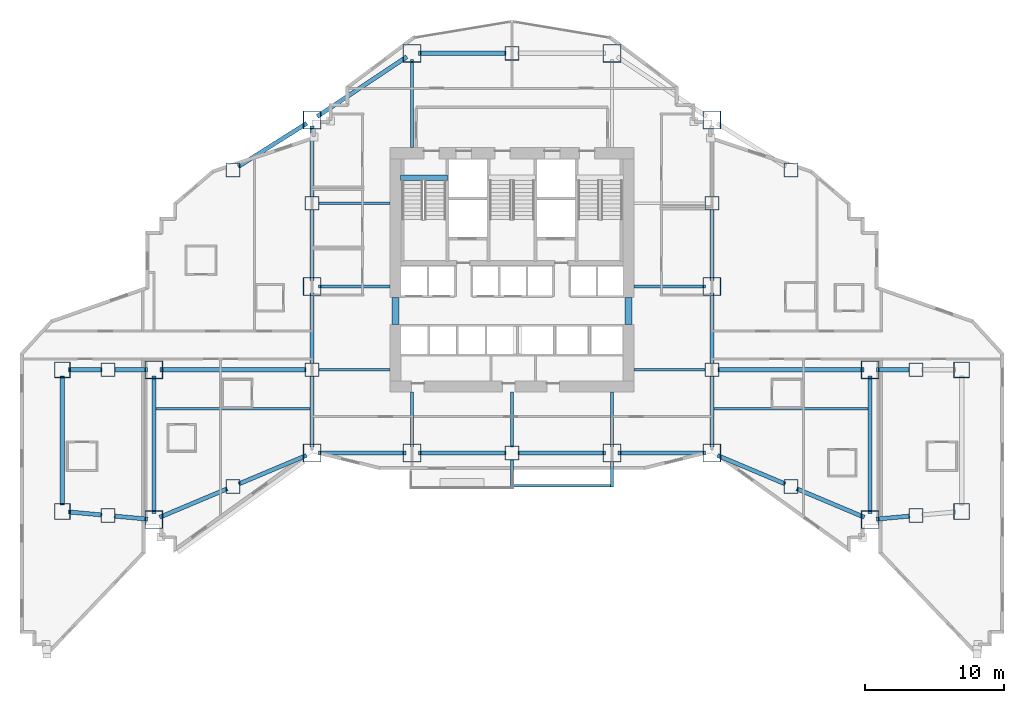
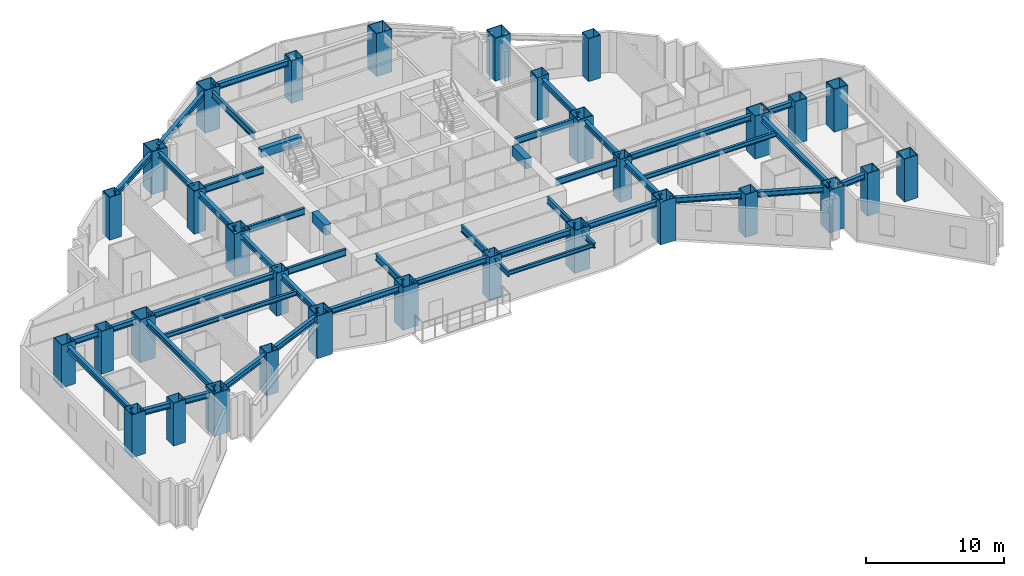
# One storey, part 1 of 17: 46 beams, 32 columns.
"""IFC4 building model written with IfcOpenShell, lengths in metres."""

from ifc_helpers import new_model, si_unit, direction, frame, origin, origin_2d, place, context, subcontext, project, spatial, rectangle, hollow_rectangle, i_section, extrude, material, material_profile, profile_set, type_object, element, save


model = new_model("IFC4")

# Units and contexts
model_context = context("Model", 3, precision=1e-05, world=origin(), true_north=direction((0.0, 1.0)))
body_context = subcontext(model_context, "Body", "Model", "MODEL_VIEW")
ifc_project = project(units=[si_unit("LENGTHUNIT", "METRE"), si_unit("AREAUNIT", "SQUARE_METRE"), si_unit("VOLUMEUNIT", "CUBIC_METRE"), si_unit("PLANEANGLEUNIT", "RADIAN"), si_unit("MASSUNIT", "GRAM", prefix="KILO")], contexts=[model_context])

# Site, building, storey
site_placement = place(None, origin())
site = spatial("IfcSite", under=ifc_project, at=site_placement, CompositionType="ELEMENT")
building_placement = place(site_placement, origin())
building = spatial("IfcBuilding", under=site, at=building_placement, Name="Haolan Belvedere Tower", CompositionType="ELEMENT")
storey_placement = place(building_placement, frame((0.0, 0.0, 31.60009765625)))
storey = spatial("IfcBuildingStorey", under=building, at=storey_placement, Name="L07", CompositionType="ELEMENT", Elevation=31.60009765625)

# Columns
ifc_material_1 = material(Name="Steel Q420GJC", Category="steel")
ifc_material_profile_1 = material_profile(ifc_material_1, hollow_rectangle(XDim=1.0, YDim=1.0, WallThickness=0.0380859375, at=origin_2d()), Name="Steel Q420GJC")
ifc_profile_set_1 = profile_set([ifc_material_profile_1], Name="Steel Q420GJC")
column_type_1 = type_object("IfcColumnType", Name="COL-BOX1000x1000x38", PredefinedType="COLUMN", material=ifc_profile_set_1)
for number, where, z_axis, x_axis, name in (
    (1, (24.0, 27.60009765625, 0.0), (0.0, 0.0, 1.0), (1.0, 0.0, 0.0), "L07 column TC-T3-W1 (BOX1000x1000x38)"),
    (2, (24.0, 39.60009765625, 0.0), (0.0, 0.0, 1.0), (1.0, 0.0, 0.0), "L07 column TC-T3-W2 (BOX1000x1000x38)"),
    (3, (52.800048828125, 27.60009765625, 0.0), (0.0, 0.0, 1.0), (1.0, 0.0, 0.0), "L07 column TC-T3-E1 (BOX1000x1000x38)"),
    (4, (52.800048828125, 39.60009765625, 0.0), (0.0, 0.0, 1.0), (1.0, 0.0, 0.0), "L07 column TC-T3-E2 (BOX1000x1000x38)"),
    (5, (38.39990234375, 21.60009765625, 0.0), (0.0, 0.0, 1.0), (1.0, 0.0, 0.0), "L07 column TC-T3-SM (BOX1000x1000x38)"),
    (6, (38.39990234375, 50.39990234375, 0.0), (0.0, 0.0, 1.0), (1.0, 0.0, 0.0), "L07 column TC-T3-NM (BOX1000x1000x38)"),
    (7, (18.300048828125, 19.199951171875, 0.0), (0.0, 0.0, 1.0), (1.0, 0.0, 0.0), "L07 column TC-T2-S1 (BOX1000x1000x38)"),
    (8, (18.300048828125, 42.0, 0.0), (0.0, 0.0, 1.0), (1.0, 0.0, 0.0), "L07 column TC-T2-N1 (BOX1000x1000x38)"),
    (9, (58.5, 19.199951171875, 0.0), (0.0, 0.0, 1.0), (1.0, 0.0, 0.0), "L07 column TC-T4-S1 (BOX1000x1000x38)"),
    (10, (58.5, 42.0, 0.0), (0.0, 0.0, 1.0), (1.0, 0.0, 0.0), "L07 column TC-T4-N1 (BOX1000x1000x38)"),
    (11, (9.300048828125, 17.10009765625, 0.0), (0.0, 0.0, 1.0), (1.0, 0.0, 0.0), "L07 column TC-T1-M1 (BOX1000x1000x38)"),
    (12, (9.300048828125, 27.60009765625, 0.0), (0.0, 0.0, 1.0), (1.0, 0.0, 0.0), "L07 column TC-T1-M2 (BOX1000x1000x38)"),
    (13, (67.5, 17.10009765625, 0.0), (0.0, 0.0, 1.0), (1.0, 0.0, 0.0), "L07 column TC-T5-M1 (BOX1000x1000x38)"),
    (14, (67.5, 27.60009765625, 0.0), (0.0, 0.0, 1.0), (1.0, 0.0, 0.0), "L07 column TC-T5-M2 (BOX1000x1000x38)"),
):
    element("IfcColumn", number, at=place(storey_placement, frame(where, z_axis=z_axis, x_axis=x_axis)), inside=storey, type_object=column_type_1, Name=name, PredefinedType="COLUMN", context=body_context, shape_type="SweptSolid", body=[
        extrude(hollow_rectangle(XDim=1.0, YDim=1.0, WallThickness=0.0380859375, at=origin_2d()), origin(), (0.0, 0.0, 1.0), 3.7998046875),
    ])
ifc_material_2 = material(Name="Steel Q355B", Category="steel")
ifc_material_profile_2 = material_profile(ifc_material_2, hollow_rectangle(XDim=1.14990234375, YDim=1.14990234375, WallThickness=0.0419921875, at=origin_2d()), Name="Steel Q355B")
ifc_profile_set_2 = profile_set([ifc_material_profile_2], Name="Steel Q355B")
column_type_2 = type_object("IfcColumnType", Name="COL-BOX1150x1150x42", PredefinedType="COLUMN", material=ifc_profile_set_2)
for number, where, z_axis, x_axis, name in (
    (15, (6.0, 17.39990234375, 0.0), (0.0, 0.0, 1.0), (1.0, 0.0, 0.0), "L07 column MC-T1-SW (BOX1150x1150x42)"),
    (16, (6.0, 27.60009765625, 0.0), (0.0, 0.0, 1.0), (1.0, 0.0, 0.0), "L07 column MC-T1-NW (BOX1150x1150x42)"),
    (17, (70.800048828125, 17.39990234375, 0.0), (0.0, 0.0, 1.0), (1.0, 0.0, 0.0), "L07 column MC-T5-SE (BOX1150x1150x42)"),
    (18, (70.800048828125, 27.60009765625, 0.0), (0.0, 0.0, 1.0), (1.0, 0.0, 0.0), "L07 column MC-T5-NE (BOX1150x1150x42)"),
):
    element("IfcColumn", number, at=place(storey_placement, frame(where, z_axis=z_axis, x_axis=x_axis)), inside=storey, type_object=column_type_2, Name=name, PredefinedType="COLUMN", context=body_context, shape_type="SweptSolid", body=[
        extrude(hollow_rectangle(XDim=1.14990234375, YDim=1.14990234375, WallThickness=0.0419921875, at=origin_2d()), origin(), (0.0, 0.0, 1.0), 3.7998046875),
    ])
ifc_material_profile_3 = material_profile(ifc_material_2, hollow_rectangle(XDim=1.300048828125, YDim=1.300048828125, WallThickness=0.048095703125, at=origin_2d()), Name="Steel Q355B")
ifc_profile_set_3 = profile_set([ifc_material_profile_3], Name="Steel Q355B")
column_type_3 = type_object("IfcColumnType", Name="COL-BOX1300x1300x48", PredefinedType="COLUMN", material=ifc_profile_set_3)
for number, where, z_axis, x_axis, name in (
    (19, (24.0, 21.60009765625, 0.0), (0.0, 0.0, 1.0), (1.0, 0.0, 0.0), "L07 column MC-T3-SW (BOX1300x1300x48)"),
    (20, (24.0, 33.60009765625, 0.0), (0.0, 0.0, 1.0), (1.0, 0.0, 0.0), "L07 column MC-T3-MW (BOX1300x1300x48)"),
    (21, (24.0, 45.60009765625, 0.0), (0.0, 0.0, 1.0), (1.0, 0.0, 0.0), "L07 column MC-T3-NW (BOX1300x1300x48)"),
    (22, (52.800048828125, 21.60009765625, 0.0), (0.0, 0.0, 1.0), (1.0, 0.0, 0.0), "L07 column MC-T3-SE (BOX1300x1300x48)"),
    (23, (52.800048828125, 33.60009765625, 0.0), (0.0, 0.0, 1.0), (1.0, 0.0, 0.0), "L07 column MC-T3-ME (BOX1300x1300x48)"),
    (24, (52.800048828125, 45.60009765625, 0.0), (0.0, 0.0, 1.0), (1.0, 0.0, 0.0), "L07 column MC-T3-NE (BOX1300x1300x48)"),
    (25, (31.199951171875, 21.60009765625, 0.0), (0.0, 0.0, 1.0), (1.0, 0.0, 0.0), "L07 column MC-T3-S1 (BOX1300x1300x48)"),
    (26, (45.60009765625, 21.60009765625, 0.0), (0.0, 0.0, 1.0), (1.0, 0.0, 0.0), "L07 column MC-T3-S2 (BOX1300x1300x48)"),
    (27, (31.199951171875, 50.39990234375, 0.0), (0.0, 0.0, 1.0), (1.0, 0.0, 0.0), "L07 column MC-T3-N1 (BOX1300x1300x48)"),
    (28, (45.60009765625, 50.39990234375, 0.0), (0.0, 0.0, 1.0), (1.0, 0.0, 0.0), "L07 column MC-T3-N2 (BOX1300x1300x48)"),
    (29, (12.60009765625, 16.800048828125, 0.0), (0.0, 0.0, 1.0), (1.0, 0.0, 0.0), "L07 column MC-T2-SW (BOX1300x1300x48)"),
    (30, (12.60009765625, 27.60009765625, 0.0), (0.0, 0.0, 1.0), (1.0, 0.0, 0.0), "L07 column MC-T2-MW (BOX1300x1300x48)"),
    (31, (64.199951171875, 16.800048828125, 0.0), (0.0, 0.0, 1.0), (1.0, 0.0, 0.0), "L07 column MC-T4-SE (BOX1300x1300x48)"),
    (32, (64.199951171875, 27.60009765625, 0.0), (0.0, 0.0, 1.0), (1.0, 0.0, 0.0), "L07 column MC-T4-ME (BOX1300x1300x48)"),
):
    element("IfcColumn", number, at=place(storey_placement, frame(where, z_axis=z_axis, x_axis=x_axis)), inside=storey, type_object=column_type_3, Name=name, PredefinedType="COLUMN", context=body_context, shape_type="SweptSolid", body=[
        extrude(hollow_rectangle(XDim=1.300048828125, YDim=1.300048828125, WallThickness=0.048095703125, at=origin_2d()), origin(), (0.0, 0.0, 1.0), 3.7998046875),
    ])

# Beams
ifc_material_profile_4 = material_profile(ifc_material_2, i_section(OverallWidth=0.300048828125, OverallDepth=0.488037109375, WebThickness=0.010986328125, FlangeThickness=0.01806640625, FilletRadius=0.02587890625, at=origin_2d()), Name="Steel Q355B")
ifc_profile_set_4 = profile_set([ifc_material_profile_4], Name="Steel Q355B")
beam_type_1 = type_object("IfcBeamType", Name="BM-HM488x300x11x18", PredefinedType="SPANDREL", material=ifc_profile_set_4)
for number, where, z_axis, x_axis, name in (
    (33, (24.0, 22.050048828125, 3.35595703125), (0.0, 1.0, 0.0), (-1.0, 0.0, 0.0), "L07 spandrel girder MC-T3-SW-TC-T3-W1"),
    (34, (24.0, 28.050048828125, 3.35595703125), (0.0, 1.0, 0.0), (-1.0, 0.0, 0.0), "L07 spandrel girder TC-T3-W1-MC-T3-MW"),
    (35, (24.0, 34.050048828125, 3.35595703125), (0.0, 1.0, 0.0), (-1.0, 0.0, 0.0), "L07 spandrel girder MC-T3-MW-TC-T3-W2"),
    (36, (24.0, 40.050048828125, 3.35595703125), (0.0, 1.0, 0.0), (-1.0, 0.0, 0.0), "L07 spandrel girder TC-T3-W2-MC-T3-NW"),
    (37, (52.800048828125, 22.050048828125, 3.35595703125), (0.0, 1.0, 0.0), (-1.0, 0.0, 0.0), "L07 spandrel girder MC-T3-SE-TC-T3-E1"),
    (38, (52.800048828125, 28.050048828125, 3.35595703125), (0.0, 1.0, 0.0), (-1.0, 0.0, 0.0), "L07 spandrel girder TC-T3-E1-MC-T3-ME"),
    (39, (52.800048828125, 34.050048828125, 3.35595703125), (0.0, 1.0, 0.0), (-1.0, 0.0, 0.0), "L07 spandrel girder MC-T3-ME-TC-T3-E2"),
):
    element("IfcBeam", number, at=place(storey_placement, frame(where, z_axis=z_axis, x_axis=x_axis)), inside=storey, type_object=beam_type_1, Name=name, PredefinedType="SPANDREL", context=body_context, shape_type="SweptSolid", body=[
        extrude(i_section(OverallWidth=0.300048828125, OverallDepth=0.488037109375, WebThickness=0.010986328125, FlangeThickness=0.01806640625, FilletRadius=0.02587890625, at=origin_2d()), origin(), (0.0, 0.0, 1.0), 5.099853515625),
    ])
for number, where, z_axis, x_axis, name in (
    (40, (24.449951171875, 21.60009765625, 3.35595703125), (1.0, 0.0, 0.0), (0.0, 1.0, 0.0), "L07 spandrel girder MC-T3-SW-MC-T3-S1"),
    (41, (31.64990234375, 21.60009765625, 3.35595703125), (1.0, 0.0, 0.0), (0.0, 1.0, 0.0), "L07 spandrel girder MC-T3-S1-TC-T3-SM"),
):
    element("IfcBeam", number, at=place(storey_placement, frame(where, z_axis=z_axis, x_axis=x_axis)), inside=storey, type_object=beam_type_1, Name=name, PredefinedType="SPANDREL", context=body_context, shape_type="SweptSolid", body=[
        extrude(i_section(OverallWidth=0.300048828125, OverallDepth=0.488037109375, WebThickness=0.010986328125, FlangeThickness=0.01806640625, FilletRadius=0.02587890625, at=origin_2d()), origin(), (0.0, 0.0, 1.0), 6.300048828125),
    ])
beam_1_placement = place(storey_placement, frame((38.85009765625, 21.60009765625, 3.35595703125), z_axis=(1.0, 0.0, 0.0), x_axis=(0.0, 1.0, 0.0)))
element("IfcBeam", 42, at=beam_1_placement, inside=storey, type_object=beam_type_1, Name="L07 spandrel girder TC-T3-SM-MC-T3-S2", PredefinedType="SPANDREL", context=body_context, shape_type="SweptSolid", body=[
    extrude(i_section(OverallWidth=0.300048828125, OverallDepth=0.488037109375, WebThickness=0.010986328125, FlangeThickness=0.01806640625, FilletRadius=0.02587890625, at=origin_2d()), origin(), (0.0, 0.0, 1.0), 6.2998046875),
])
beam_2_placement = place(storey_placement, frame((46.050048828125, 21.60009765625, 3.35595703125), z_axis=(1.0, 0.0, 0.0), x_axis=(0.0, 1.0, 0.0)))
element("IfcBeam", 43, at=beam_2_placement, inside=storey, type_object=beam_type_1, Name="L07 spandrel girder MC-T3-S2-MC-T3-SE", PredefinedType="SPANDREL", context=body_context, shape_type="SweptSolid", body=[
    extrude(i_section(OverallWidth=0.300048828125, OverallDepth=0.488037109375, WebThickness=0.010986328125, FlangeThickness=0.01806640625, FilletRadius=0.02587890625, at=origin_2d()), origin(), (0.0, 0.0, 1.0), 6.300048828125),
])
beam_3_placement = place(storey_placement, frame((24.37451171875, 45.849609375, 3.35595703125), z_axis=(0.832050294338, 0.554700196225, 0.0), x_axis=(-0.554700196225, 0.832050294338, 0.0)))
element("IfcBeam", 44, at=beam_3_placement, inside=storey, type_object=beam_type_1, Name="L07 spandrel girder MC-T3-NW-MC-T3-N1", PredefinedType="SPANDREL", context=body_context, shape_type="SweptSolid", body=[
    extrude(i_section(OverallWidth=0.300048828125, OverallDepth=0.488037109375, WebThickness=0.010986328125, FlangeThickness=0.01806640625, FilletRadius=0.02587890625, at=origin_2d()), origin(), (0.0, 0.0, 1.0), 7.75341796875),
])
beam_4_placement = place(storey_placement, frame((31.64990234375, 50.39990234375, 3.35595703125), z_axis=(1.0, 0.0, 0.0), x_axis=(0.0, 1.0, 0.0)))
element("IfcBeam", 45, at=beam_4_placement, inside=storey, type_object=beam_type_1, Name="L07 spandrel girder MC-T3-N1-TC-T3-NM", PredefinedType="SPANDREL", context=body_context, shape_type="SweptSolid", body=[
    extrude(i_section(OverallWidth=0.300048828125, OverallDepth=0.488037109375, WebThickness=0.010986328125, FlangeThickness=0.01806640625, FilletRadius=0.02587890625, at=origin_2d()), origin(), (0.0, 0.0, 1.0), 6.300048828125),
])
beam_5_placement = place(storey_placement, frame((12.60009765625, 17.25, 3.35595703125), z_axis=(0.0, 1.0, 0.0), x_axis=(-1.0, 0.0, 0.0)))
element("IfcBeam", 46, at=beam_5_placement, inside=storey, type_object=beam_type_1, Name="L07 spandrel girder MC-T2-SW-MC-T2-MW", PredefinedType="SPANDREL", context=body_context, shape_type="SweptSolid", body=[
    extrude(i_section(OverallWidth=0.300048828125, OverallDepth=0.488037109375, WebThickness=0.010986328125, FlangeThickness=0.01806640625, FilletRadius=0.02587890625, at=origin_2d()), origin(), (0.0, 0.0, 1.0), 9.89990234375),
])
beam_6_placement = place(storey_placement, frame((13.0146484375, 16.974609375, 3.35595703125), z_axis=(0.921635375138, 0.388057000058, 0.0), x_axis=(-0.388057000058, 0.921635375138, 0.0)))
element("IfcBeam", 47, at=beam_6_placement, inside=storey, type_object=beam_type_1, Name="L07 spandrel girder MC-T2-SW-TC-T2-S1", PredefinedType="SPANDREL", context=body_context, shape_type="SweptSolid", body=[
    extrude(i_section(OverallWidth=0.300048828125, OverallDepth=0.488037109375, WebThickness=0.010986328125, FlangeThickness=0.01806640625, FilletRadius=0.02587890625, at=origin_2d()), origin(), (0.0, 0.0, 1.0), 5.28466796875),
])
beam_7_placement = place(storey_placement, frame((18.71484375, 19.37451171875, 3.35595703125), z_axis=(0.92162841793, 0.388073523014, 0.0), x_axis=(-0.388073523014, 0.92162841793, 0.0)))
element("IfcBeam", 48, at=beam_7_placement, inside=storey, type_object=beam_type_1, Name="L07 spandrel girder TC-T2-S1-MC-T3-SW", PredefinedType="SPANDREL", context=body_context, shape_type="SweptSolid", body=[
    extrude(i_section(OverallWidth=0.300048828125, OverallDepth=0.488037109375, WebThickness=0.010986328125, FlangeThickness=0.01806640625, FilletRadius=0.02587890625, at=origin_2d()), origin(), (0.0, 0.0, 1.0), 5.284423828125),
])
beam_8_placement = place(storey_placement, frame((18.680419921875, 42.240234375, 3.35595703125), z_axis=(0.845497840649, 0.533978839898, 0.0), x_axis=(-0.533978839898, 0.845497840649, 0.0)))
element("IfcBeam", 49, at=beam_8_placement, inside=storey, type_object=beam_type_1, Name="L07 spandrel girder TC-T2-N1-MC-T3-NW", PredefinedType="SPANDREL", context=body_context, shape_type="SweptSolid", body=[
    extrude(i_section(OverallWidth=0.300048828125, OverallDepth=0.488037109375, WebThickness=0.010986328125, FlangeThickness=0.01806640625, FilletRadius=0.02587890625, at=origin_2d()), origin(), (0.0, 0.0, 1.0), 5.841796875),
])
beam_9_placement = place(storey_placement, frame((13.050048828125, 27.60009765625, 3.35595703125), z_axis=(1.0, 0.0, 0.0), x_axis=(0.0, 1.0, 0.0)))
element("IfcBeam", 50, at=beam_9_placement, inside=storey, type_object=beam_type_1, Name="L07 spandrel girder MC-T2-MW-TC-T3-W1", PredefinedType="SPANDREL", context=body_context, shape_type="SweptSolid", body=[
    extrude(i_section(OverallWidth=0.300048828125, OverallDepth=0.488037109375, WebThickness=0.010986328125, FlangeThickness=0.01806640625, FilletRadius=0.02587890625, at=origin_2d()), origin(), (0.0, 0.0, 1.0), 10.5),
])
beam_10_placement = place(storey_placement, frame((64.199951171875, 17.25, 3.35595703125), z_axis=(0.0, 1.0, 0.0), x_axis=(-1.0, 0.0, 0.0)))
element("IfcBeam", 51, at=beam_10_placement, inside=storey, type_object=beam_type_1, Name="L07 spandrel girder MC-T4-SE-MC-T4-ME", PredefinedType="SPANDREL", context=body_context, shape_type="SweptSolid", body=[
    extrude(i_section(OverallWidth=0.300048828125, OverallDepth=0.488037109375, WebThickness=0.010986328125, FlangeThickness=0.01806640625, FilletRadius=0.02587890625, at=origin_2d()), origin(), (0.0, 0.0, 1.0), 9.89990234375),
])
for number, where, z_axis, x_axis, name in (
    (52, (53.21484375, 21.42529296875, 3.35595703125), (0.92162841793, -0.388073523014, 0.0), (0.388073523014, 0.92162841793, 0.0), "L07 spandrel girder MC-T3-SE-TC-T4-S1"),
    (53, (58.914794921875, 19.025390625, 3.35595703125), (0.92162841793, -0.388073523014, 0.0), (0.388073523014, 0.92162841793, 0.0), "L07 spandrel girder TC-T4-S1-MC-T4-SE"),
):
    element("IfcBeam", number, at=place(storey_placement, frame(where, z_axis=z_axis, x_axis=x_axis)), inside=storey, type_object=beam_type_1, Name=name, PredefinedType="SPANDREL", context=body_context, shape_type="SweptSolid", body=[
        extrude(i_section(OverallWidth=0.300048828125, OverallDepth=0.488037109375, WebThickness=0.010986328125, FlangeThickness=0.01806640625, FilletRadius=0.02587890625, at=origin_2d()), origin(), (0.0, 0.0, 1.0), 5.284423828125),
    ])
beam_11_placement = place(storey_placement, frame((53.25, 27.60009765625, 3.35595703125), z_axis=(1.0, 0.0, 0.0), x_axis=(0.0, 1.0, 0.0)))
element("IfcBeam", 54, at=beam_11_placement, inside=storey, type_object=beam_type_1, Name="L07 spandrel girder TC-T3-E1-MC-T4-ME", PredefinedType="SPANDREL", context=body_context, shape_type="SweptSolid", body=[
    extrude(i_section(OverallWidth=0.300048828125, OverallDepth=0.488037109375, WebThickness=0.010986328125, FlangeThickness=0.01806640625, FilletRadius=0.02587890625, at=origin_2d()), origin(), (0.0, 0.0, 1.0), 10.5),
])
beam_12_placement = place(storey_placement, frame((6.0, 17.85009765625, 3.35595703125), z_axis=(0.0, 1.0, 0.0), x_axis=(-1.0, 0.0, 0.0)))
element("IfcBeam", 55, at=beam_12_placement, inside=storey, type_object=beam_type_1, Name="L07 spandrel girder MC-T1-SW-MC-T1-NW", PredefinedType="SPANDREL", context=body_context, shape_type="SweptSolid", body=[
    extrude(i_section(OverallWidth=0.300048828125, OverallDepth=0.488037109375, WebThickness=0.010986328125, FlangeThickness=0.01806640625, FilletRadius=0.02587890625, at=origin_2d()), origin(), (0.0, 0.0, 1.0), 9.2998046875),
])
beam_13_placement = place(storey_placement, frame((6.4482421875, 17.359375, 3.35595703125), z_axis=(0.995884080761, -0.090636072764, 0.0), x_axis=(0.090636072764, 0.995884080761, 0.0)))
element("IfcBeam", 56, at=beam_13_placement, inside=storey, type_object=beam_type_1, Name="L07 spandrel girder MC-T1-SW-TC-T1-M1", PredefinedType="SPANDREL", context=body_context, shape_type="SweptSolid", body=[
    extrude(i_section(OverallWidth=0.300048828125, OverallDepth=0.488037109375, WebThickness=0.010986328125, FlangeThickness=0.01806640625, FilletRadius=0.02587890625, at=origin_2d()), origin(), (0.0, 0.0, 1.0), 2.41357421875),
])
beam_14_placement = place(storey_placement, frame((9.748046875, 17.059326171875, 3.35595703125), z_axis=(0.9958940355, -0.090526626221, 0.0), x_axis=(0.090526626221, 0.9958940355, 0.0)))
element("IfcBeam", 57, at=beam_14_placement, inside=storey, type_object=beam_type_1, Name="L07 spandrel girder TC-T1-M1-MC-T2-SW", PredefinedType="SPANDREL", context=body_context, shape_type="SweptSolid", body=[
    extrude(i_section(OverallWidth=0.300048828125, OverallDepth=0.488037109375, WebThickness=0.010986328125, FlangeThickness=0.01806640625, FilletRadius=0.02587890625, at=origin_2d()), origin(), (0.0, 0.0, 1.0), 2.413818359375),
])
beam_15_placement = place(storey_placement, frame((6.449951171875, 27.60009765625, 3.35595703125), z_axis=(1.0, 0.0, 0.0), x_axis=(0.0, 1.0, 0.0)))
element("IfcBeam", 58, at=beam_15_placement, inside=storey, type_object=beam_type_1, Name="L07 spandrel girder MC-T1-NW-TC-T1-M2", PredefinedType="SPANDREL", context=body_context, shape_type="SweptSolid", body=[
    extrude(i_section(OverallWidth=0.300048828125, OverallDepth=0.488037109375, WebThickness=0.010986328125, FlangeThickness=0.01806640625, FilletRadius=0.02587890625, at=origin_2d()), origin(), (0.0, 0.0, 1.0), 2.400146484375),
])
beam_16_placement = place(storey_placement, frame((9.75, 27.60009765625, 3.35595703125), z_axis=(1.0, 0.0, 0.0), x_axis=(0.0, 1.0, 0.0)))
element("IfcBeam", 59, at=beam_16_placement, inside=storey, type_object=beam_type_1, Name="L07 spandrel girder TC-T1-M2-MC-T2-MW", PredefinedType="SPANDREL", context=body_context, shape_type="SweptSolid", body=[
    extrude(i_section(OverallWidth=0.300048828125, OverallDepth=0.488037109375, WebThickness=0.010986328125, FlangeThickness=0.01806640625, FilletRadius=0.02587890625, at=origin_2d()), origin(), (0.0, 0.0, 1.0), 2.39990234375),
])
beam_17_placement = place(storey_placement, frame((64.648193359375, 16.8408203125, 3.35595703125), z_axis=(0.995893206468, 0.090535746043, 0.0), x_axis=(-0.090535746043, 0.995893206468, 0.0)))
element("IfcBeam", 60, at=beam_17_placement, inside=storey, type_object=beam_type_1, Name="L07 spandrel girder MC-T4-SE-TC-T5-M1", PredefinedType="SPANDREL", context=body_context, shape_type="SweptSolid", body=[
    extrude(i_section(OverallWidth=0.300048828125, OverallDepth=0.488037109375, WebThickness=0.010986328125, FlangeThickness=0.01806640625, FilletRadius=0.02587890625, at=origin_2d()), origin(), (0.0, 0.0, 1.0), 2.41357421875),
])
beam_18_placement = place(storey_placement, frame((64.64990234375, 27.60009765625, 3.35595703125), z_axis=(1.0, 0.0, 0.0), x_axis=(0.0, 1.0, 0.0)))
element("IfcBeam", 61, at=beam_18_placement, inside=storey, type_object=beam_type_1, Name="L07 spandrel girder MC-T4-ME-TC-T5-M2", PredefinedType="SPANDREL", context=body_context, shape_type="SweptSolid", body=[
    extrude(i_section(OverallWidth=0.300048828125, OverallDepth=0.488037109375, WebThickness=0.010986328125, FlangeThickness=0.01806640625, FilletRadius=0.02587890625, at=origin_2d()), origin(), (0.0, 0.0, 1.0), 2.400146484375),
])
ifc_material_profile_5 = material_profile(ifc_material_2, i_section(OverallWidth=0.175048828125, OverallDepth=0.35009765625, WebThickness=0.007080078125, FlangeThickness=0.010986328125, FilletRadius=0.012939453125, at=origin_2d()), Name="Steel Q355B")
ifc_profile_set_5 = profile_set([ifc_material_profile_5], Name="Steel Q355B")
beam_type_2 = type_object("IfcBeamType", Name="BM-HN350x175x7x11", PredefinedType="JOIST", material=ifc_profile_set_5)
beam_19_placement = place(storey_placement, frame((38.5, 19.239990234375, 3.39501953125), z_axis=(1.0, 0.0, 0.0), x_axis=(0.0, 1.0, 0.0)))
element("IfcBeam", 62, at=beam_19_placement, inside=storey, type_object=beam_type_2, Name="L08 tree-balcony front trimmer beam 1", PredefinedType="BEAM", context=body_context, shape_type="SweptSolid", body=[
    extrude(i_section(OverallWidth=0.175048828125, OverallDepth=0.35009765625, WebThickness=0.007080078125, FlangeThickness=0.010986328125, FilletRadius=0.012939453125, at=origin_2d()), origin(), (0.0, 0.0, 1.0), 7.0),
])
ifc_material_profile_6 = material_profile(ifc_material_2, i_section(OverallWidth=0.199951171875, OverallDepth=0.39990234375, WebThickness=0.008056640625, FlangeThickness=0.012939453125, FilletRadius=0.01611328125, at=origin_2d()), Name="Steel Q355B")
ifc_profile_set_6 = profile_set([ifc_material_profile_6], Name="Steel Q355B")
beam_type_3 = type_object("IfcBeamType", Name="BM-HN400x200x8x13", PredefinedType="JOIST", material=ifc_profile_set_6)
for number, where, z_axis, x_axis, name in (
    (63, (12.75, 24.800048828125, 3.39990234375), (1.0, 0.0, 0.0), (0.0, 1.0, 0.0), "L07 west wing floor joist 1"),
    (64, (52.949951171875, 24.800048828125, 3.39990234375), (1.0, 0.0, 0.0), (0.0, 1.0, 0.0), "L07 east wing floor joist 1"),
):
    element("IfcBeam", number, at=place(storey_placement, frame(where, z_axis=z_axis, x_axis=x_axis)), inside=storey, type_object=beam_type_3, Name=name, PredefinedType="JOIST", context=body_context, shape_type="SweptSolid", body=[
        extrude(i_section(OverallWidth=0.199951171875, OverallDepth=0.39990234375, WebThickness=0.008056640625, FlangeThickness=0.012939453125, FilletRadius=0.01611328125, at=origin_2d()), origin(), (0.0, 0.0, 1.0), 11.10009765625),
    ])
ifc_material_profile_7 = material_profile(ifc_material_2, i_section(OverallWidth=0.199951171875, OverallDepth=0.449951171875, WebThickness=0.009033203125, FlangeThickness=0.013916015625, FilletRadius=0.01611328125, at=origin_2d()), Name="Steel Q355B")
ifc_profile_set_7 = profile_set([ifc_material_profile_7], Name="Steel Q355B")
beam_type_4 = type_object("IfcBeamType", Name="BM-HN450x200x9x14", PredefinedType="BEAM", material=ifc_profile_set_7)
beam_20_placement = place(storey_placement, frame((38.39990234375, 21.10009765625, 3.344970703125), z_axis=(0.0, -1.0, 0.0), x_axis=(1.0, 0.0, 0.0)))
element("IfcBeam", 65, at=beam_20_placement, inside=storey, type_object=beam_type_4, Name="L08 tree-balcony column cantilever TC-T3-SM", PredefinedType="BEAM", context=body_context, shape_type="SweptSolid", body=[
    extrude(i_section(OverallWidth=0.199951171875, OverallDepth=0.449951171875, WebThickness=0.009033203125, FlangeThickness=0.013916015625, FilletRadius=0.01611328125, at=origin_2d()), origin(), (0.0, 0.0, 1.0), 1.960205078125),
])
beam_21_placement = place(storey_placement, frame((45.60009765625, 20.949951171875, 3.344970703125), z_axis=(0.0, -1.0, 0.0), x_axis=(1.0, 0.0, 0.0)))
element("IfcBeam", 66, at=beam_21_placement, inside=storey, type_object=beam_type_4, Name="L08 tree-balcony column cantilever MC-T3-S2", PredefinedType="BEAM", context=body_context, shape_type="SweptSolid", body=[
    extrude(i_section(OverallWidth=0.199951171875, OverallDepth=0.449951171875, WebThickness=0.009033203125, FlangeThickness=0.013916015625, FilletRadius=0.01611328125, at=origin_2d()), origin(), (0.0, 0.0, 1.0), 1.81005859375),
])
ifc_material_profile_8 = material_profile(ifc_material_2, i_section(OverallWidth=0.199951171875, OverallDepth=0.60009765625, WebThickness=0.010986328125, FlangeThickness=0.01708984375, FilletRadius=0.02197265625, at=origin_2d()), Name="Steel Q355B")
ifc_profile_set_8 = profile_set([ifc_material_profile_8], Name="Steel Q355B")
beam_type_5 = type_object("IfcBeamType", Name="BM-HN600x200x11x17", PredefinedType="BEAM", material=ifc_profile_set_8)
for number, where, z_axis, x_axis, name in (
    (67, (24.449951171875, 33.60009765625, 3.2998046875), (1.0, 0.0, 0.0), (0.0, 1.0, 0.0), "L07 core tie beam from MC-T3-MW"),
    (68, (24.449951171875, 27.60009765625, 3.2998046875), (1.0, 0.0, 0.0), (0.0, 1.0, 0.0), "L07 core tie beam from TC-T3-W1"),
    (69, (24.449951171875, 39.60009765625, 3.2998046875), (1.0, 0.0, 0.0), (0.0, 1.0, 0.0), "L07 core tie beam from TC-T3-W2"),
    (70, (52.35009765625, 33.60009765625, 3.2998046875), (-1.0, 0.0, 0.0), (0.0, -1.0, 0.0), "L07 core tie beam from MC-T3-ME"),
    (71, (52.35009765625, 27.60009765625, 3.2998046875), (-1.0, 0.0, 0.0), (0.0, -1.0, 0.0), "L07 core tie beam from TC-T3-E1"),
):
    element("IfcBeam", number, at=place(storey_placement, frame(where, z_axis=z_axis, x_axis=x_axis)), inside=storey, type_object=beam_type_5, Name=name, PredefinedType="BEAM", context=body_context, shape_type="SweptSolid", body=[
        extrude(i_section(OverallWidth=0.199951171875, OverallDepth=0.60009765625, WebThickness=0.010986328125, FlangeThickness=0.01708984375, FilletRadius=0.02197265625, at=origin_2d()), origin(), (0.0, 0.0, 1.0), 5.150146484375),
    ])
for number, where, z_axis, x_axis, name in (
    (72, (31.199951171875, 22.050048828125, 3.2998046875), (0.0, 1.0, 0.0), (-1.0, 0.0, 0.0), "L07 core tie beam from MC-T3-S1"),
    (73, (38.39990234375, 22.050048828125, 3.2998046875), (0.0, 1.0, 0.0), (-1.0, 0.0, 0.0), "L07 core tie beam from TC-T3-SM"),
    (74, (45.60009765625, 22.050048828125, 3.2998046875), (0.0, 1.0, 0.0), (-1.0, 0.0, 0.0), "L07 core tie beam from MC-T3-S2"),
):
    element("IfcBeam", number, at=place(storey_placement, frame(where, z_axis=z_axis, x_axis=x_axis)), inside=storey, type_object=beam_type_5, Name=name, PredefinedType="BEAM", context=body_context, shape_type="SweptSolid", body=[
        extrude(i_section(OverallWidth=0.199951171875, OverallDepth=0.60009765625, WebThickness=0.010986328125, FlangeThickness=0.01708984375, FilletRadius=0.02197265625, at=origin_2d()), origin(), (0.0, 0.0, 1.0), 3.949951171875),
    ])
beam_22_placement = place(storey_placement, frame((31.199951171875, 49.949951171875, 3.2998046875), z_axis=(0.0, -1.0, 0.0), x_axis=(1.0, 0.0, 0.0)))
element("IfcBeam", 75, at=beam_22_placement, inside=storey, type_object=beam_type_5, Name="L07 core tie beam from MC-T3-N1", PredefinedType="BEAM", context=body_context, shape_type="SweptSolid", body=[
    extrude(i_section(OverallWidth=0.199951171875, OverallDepth=0.60009765625, WebThickness=0.010986328125, FlangeThickness=0.01708984375, FilletRadius=0.02197265625, at=origin_2d()), origin(), (0.0, 0.0, 1.0), 6.349853515625),
])
ifc_material_3 = material(Name="Concrete C50/60", Category="concrete")
ifc_material_profile_9 = material_profile(ifc_material_3, rectangle(XDim=0.39990234375, YDim=0.75, at=origin_2d()), Name="Concrete C50/60")
ifc_profile_set_9 = profile_set([ifc_material_profile_9], Name="Concrete C50/60")
beam_type_6 = type_object("IfcBeamType", Name="BM-RC400x750", PredefinedType="T_BEAM", material=ifc_profile_set_9)
beam_23_placement = place(storey_placement, frame((30.3798828125, 41.429931640625, 3.4248046875), z_axis=(1.0, 0.0, 0.0), x_axis=(0.0, 1.0, 0.0)))
element("IfcBeam", 76, at=beam_23_placement, inside=storey, type_object=beam_type_6, Name="L08 stair ST1 RC header trimmer beam", PredefinedType="BEAM", context=body_context, shape_type="SweptSolid", body=[
    extrude(rectangle(XDim=0.39990234375, YDim=0.75, at=origin_2d()), origin(), (0.0, 0.0, 1.0), 3.360107421875),
])
ifc_material_4 = material(Name="Concrete C60/75", Category="concrete")
ifc_material_profile_10 = material_profile(ifc_material_4, rectangle(XDim=0.5, YDim=0.89990234375, at=origin_2d()), Name="Concrete C60/75")
ifc_profile_set_10 = profile_set([ifc_material_profile_10], Name="Concrete C60/75")
beam_type_7 = type_object("IfcBeamType", Name="BM-RC500x900", PredefinedType="LINTEL", material=ifc_profile_set_10)
for number, where, z_axis, x_axis, name in (
    (77, (30.0, 30.85009765625, 3.14990234375), (0.0, 1.0, 0.0), (-1.0, 0.0, 0.0), "L07 west core coupling beam CB-01"),
    (78, (46.800048828125, 30.85009765625, 3.14990234375), (0.0, 1.0, 0.0), (-1.0, 0.0, 0.0), "L07 east core coupling beam CB-01"),
):
    element("IfcBeam", number, at=place(storey_placement, frame(where, z_axis=z_axis, x_axis=x_axis)), inside=storey, type_object=beam_type_7, Name=name, PredefinedType="LINTEL", context=body_context, shape_type="SweptSolid", body=[
        extrude(rectangle(XDim=0.5, YDim=0.89990234375, at=origin_2d()), origin(), (0.0, 0.0, 1.0), 1.949951171875),
    ])

save(model, "model.ifc")
